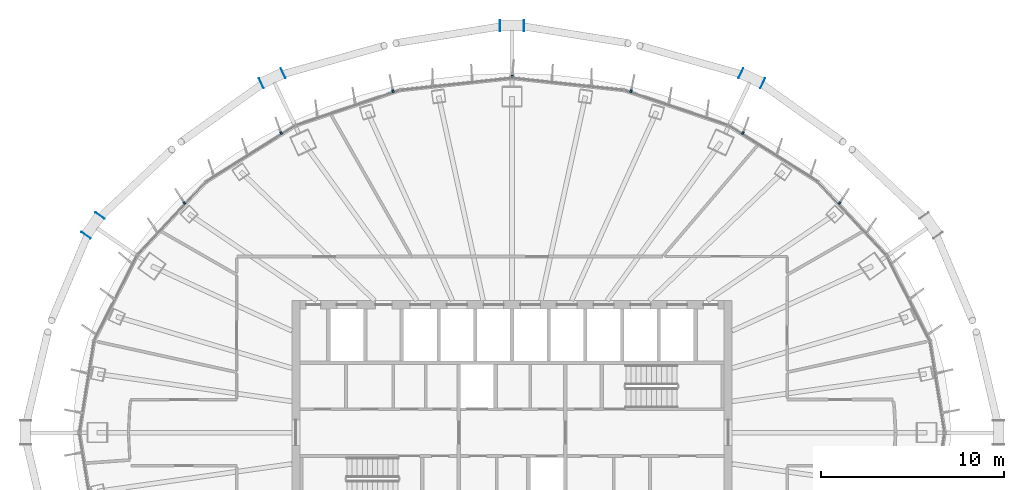
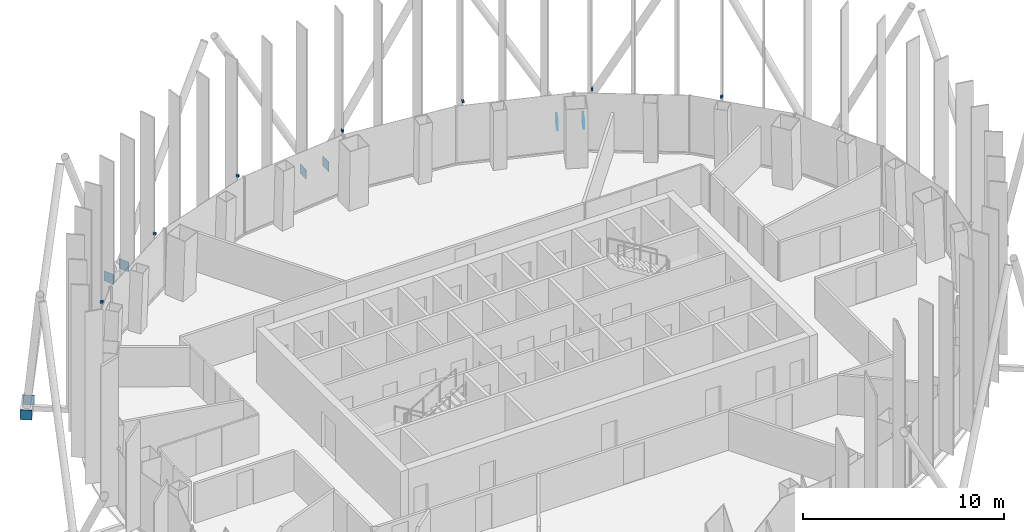
# One storey, part 14 of 19: 15 discrete accessories.
"""IFC4 building model written with IfcOpenShell, lengths in metres."""

import ifcopenshell
import ifcopenshell.guid

model = None  # the IFC model being written
_history = None  # IfcOwnerHistory: only IFC2X3 demands one
_inside = {}  # id of a spatial element -> (the spatial element, [elements in it])
_under = {}  # id of a project, library or spatial element -> (it, [spatial elements below it])
_declared = {}  # id of a project -> (the project, [libraries it declares])
_typed = {}  # id of a type object -> (the type object, [elements of that type])
_made_of = {}  # id of a material, layer set ... -> (it, [elements and type objects made of it])


def new_model(schema):
    """Start an empty IFC model of exactly this schema.

    Asked for "IFC4X3", IfcOpenShell would pick the latest addendum, in which some entities
    have other attributes; the version numbers below select the first issue.
    IFC2X3 requires an IfcOwnerHistory on every rooted entity: one is made here for all.
    """
    global model, _history
    if schema == "IFC4X3":
        model = ifcopenshell.file(schema_version=(4, 3, 0, 0))
    else:
        model = ifcopenshell.file(schema=schema)
    _inside.clear()
    _under.clear()
    _declared.clear()
    _typed.clear()
    _made_of.clear()
    _history = None
    if model.schema == "IFC2X3":
        org = make("IfcOrganization", Name="unknown")
        user = make(
            "IfcPersonAndOrganization",
            ThePerson=make("IfcPerson", FamilyName="unknown"),
            TheOrganization=org,
        )
        app = make(
            "IfcApplication",
            ApplicationDeveloper=org,
            Version="unknown",
            ApplicationFullName="unknown",
            ApplicationIdentifier="unknown",
        )
        _history = make(
            "IfcOwnerHistory",
            OwningUser=user,
            OwningApplication=app,
            ChangeAction="ADDED",
            CreationDate=0,
        )
    return model


def make(cls, **values):
    """One entity of the class cls with the attributes given. An attribute that is None is left unset."""
    return model.create_entity(
        cls, **{name: value for name, value in values.items() if value is not None}
    )


def rooted(cls, **values):
    """An entity with a GlobalId (a new one), such as an element, a storey or a relation."""
    return make(cls, GlobalId=ifcopenshell.guid.new(), OwnerHistory=_history, **values)


def si_unit(unit_type, name, prefix=None):
    """IfcSIUnit, for example si_unit("LENGTHUNIT", "METRE", prefix="MILLI")."""
    return make("IfcSIUnit", UnitType=unit_type, Prefix=prefix, Name=name)


def assignment(units):
    """IfcUnitAssignment: the units of a project."""
    return None if units is None else make("IfcUnitAssignment", Units=units)


def point(xyz):
    """IfcCartesianPoint."""
    return None if xyz is None else make("IfcCartesianPoint", Coordinates=xyz)


def direction(xyz):
    """IfcDirection."""
    return None if xyz is None else make("IfcDirection", DirectionRatios=xyz)


def frame(location, z_axis=None, x_axis=None):
    """IfcAxis2Placement3D, a coordinate frame: its origin and axes. An axis left out is left unset."""
    return make(
        "IfcAxis2Placement3D",
        Location=point(location),
        Axis=direction(z_axis),
        RefDirection=direction(x_axis),
    )


def frame_2d(location, x_axis=None):
    """IfcAxis2Placement2D, a coordinate frame in the plane: its origin and x axis."""
    return make(
        "IfcAxis2Placement2D", Location=point(location), RefDirection=direction(x_axis)
    )


def origin():
    """The frame at (0, 0, 0) with its axes left unset."""
    return frame((0.0, 0.0, 0.0))


def origin_2d():
    """The frame at (0, 0) in the plane with its x axis left unset."""
    return frame_2d((0.0, 0.0))


def place(relative_to, where):
    """IfcLocalPlacement: puts the frame where relative to a parent placement (None: the world)."""
    return make(
        "IfcLocalPlacement", PlacementRelTo=relative_to, RelativePlacement=where
    )


def context(
    kind, dimensions, precision=None, world=None, true_north=None, identifier=None
):
    """IfcGeometricRepresentationContext, for example the 3D "Model" context."""
    return make(
        "IfcGeometricRepresentationContext",
        ContextIdentifier=identifier,
        ContextType=kind,
        CoordinateSpaceDimension=dimensions,
        Precision=precision,
        WorldCoordinateSystem=world,
        TrueNorth=true_north,
    )


def subcontext(parent, identifier, kind, view, scale=None):
    """IfcGeometricRepresentationSubContext, for example "Body" below "Model"."""
    return make(
        "IfcGeometricRepresentationSubContext",
        ContextIdentifier=identifier,
        ContextType=kind,
        ParentContext=parent,
        TargetScale=scale,
        TargetView=view,
    )


def project(units=None, contexts=None):
    """IfcProject with its units and contexts."""
    return rooted(
        "IfcProject",
        Name="project",
        RepresentationContexts=contexts,
        UnitsInContext=assignment(units),
    )


def spatial(cls, under=None, at=None, **own):
    """A site, building, storey or space (cls), placed at a placement, below another one or the project."""
    s = rooted(cls, ObjectPlacement=at, **own)
    if under is not None:
        _under.setdefault(under.id(), (under, []))[1].append(s)
    return s


def profile(cls, at=None, kind="AREA", **sizes):
    """A parametric profile (cls). Its sizes go by their IFC names, for example OverallWidth=200.0."""
    return make(cls, ProfileType=kind, Position=at, **sizes)


def rectangle(**sizes):
    """IfcRectangleProfileDef."""
    return profile("IfcRectangleProfileDef", **sizes)


def extrude(swept, where, along, depth):
    """IfcExtrudedAreaSolid: the profile swept, set in the frame where, extruded along a direction by depth."""
    return make(
        "IfcExtrudedAreaSolid",
        SweptArea=swept,
        Position=where,
        ExtrudedDirection=direction(along),
        Depth=depth,
    )


def shape(context_of_items, identifier, shape_type, items):
    """IfcShapeRepresentation: the items that make up one representation, for example the "Body"."""
    return make(
        "IfcShapeRepresentation",
        ContextOfItems=context_of_items,
        RepresentationIdentifier=identifier,
        RepresentationType=shape_type,
        Items=items,
    )


def material(Name=None, Category=None):
    """IfcMaterial."""
    return make("IfcMaterial", Name=Name, Category=Category)


def layer(
    of_material, thickness, ventilated=None, Name=None, Category=None, Priority=None
):
    """IfcMaterialLayer: one layer of a wall or slab, of a material (None: an air gap)."""
    return make(
        "IfcMaterialLayer",
        Material=of_material,
        LayerThickness=thickness,
        IsVentilated=ventilated,
        Name=Name,
        Category=Category,
        Priority=Priority,
    )


def layer_set(layers, Name=None):
    """IfcMaterialLayerSet."""
    return make("IfcMaterialLayerSet", MaterialLayers=layers, LayerSetName=Name)


def made_of(thing, what):
    """Note that an element or type object is made of a material, layer set ...; save() writes the relation."""
    if what is not None:
        _made_of.setdefault(what.id(), (what, []))[1].append(thing)
    return thing


def type_object(cls, material=None, **own):
    """A type object (cls), such as IfcWallType, which elements share."""
    return made_of(rooted(cls, **own), material)


def element(
    cls,
    number,
    at=None,
    inside=None,
    cuts=None,
    type_object=None,
    material=None,
    context=None,
    identifier="Body",
    shape_type=None,
    held_by="IfcProductDefinitionShape",
    body=None,
    shapes=None,
    **own,
):
    """One element of the class cls, such as IfcWall. Its Tag is "e" and its number.

    at: its placement. inside: the storey or other place that contains it. cuts: it is an
    opening in that element (IfcRelVoidsElement). A single representation is given by context,
    identifier, shape_type and body (its items); several are given by shapes. held_by: the class
    of the entity that holds the representations. save() writes the other relations.
    """
    e = rooted(cls, Tag="e%d" % number, ObjectPlacement=at, **own)
    if body is not None:
        shapes = [shape(context, identifier, shape_type, body)]
    if shapes is not None:
        e.Representation = make(held_by, Representations=shapes)
    if inside is not None:
        _inside.setdefault(inside.id(), (inside, []))[1].append(e)
    if cuts is not None:
        rooted(
            "IfcRelVoidsElement", RelatingBuildingElement=cuts, RelatedOpeningElement=e
        )
    if type_object is not None:
        _typed.setdefault(type_object.id(), (type_object, []))[1].append(e)
    return made_of(e, material)


def aggregate(whole, parts):
    """IfcRelAggregates: a whole, such as a stair, and the parts it consists of."""
    return rooted("IfcRelAggregates", RelatingObject=whole, RelatedObjects=parts)


def save(model, path):
    """Write the relations noted so far, then the file.

    IfcRelAggregates (storeys below a building ...), IfcRelContainedInSpatialStructure (elements
    in a storey), IfcRelDefinesByType, IfcRelAssociatesMaterial and IfcRelDeclares: one each for
    every whole, place, type object, material and project.
    """
    for whole, parts in _under.values():
        aggregate(whole, parts)
    for where, things in _inside.values():
        rooted(
            "IfcRelContainedInSpatialStructure",
            RelatedElements=things,
            RelatingStructure=where,
        )
    for kind, things in _typed.values():
        rooted("IfcRelDefinesByType", RelatedObjects=things, RelatingType=kind)
    for what, things in _made_of.values():
        rooted("IfcRelAssociatesMaterial", RelatedObjects=things, RelatingMaterial=what)
    for by, libraries in _declared.values():
        rooted("IfcRelDeclares", RelatingContext=by, RelatedDefinitions=libraries)
    model.write(path)


model = new_model("IFC4")

# Units and contexts
model_context = context("Model", 3, precision=1e-05, world=origin(), true_north=direction((0.0, 1.0)))
body_context = subcontext(model_context, "Body", "Model", "MODEL_VIEW")
ifc_project = project(units=[si_unit("LENGTHUNIT", "METRE"), si_unit("AREAUNIT", "SQUARE_METRE"), si_unit("VOLUMEUNIT", "CUBIC_METRE"), si_unit("PLANEANGLEUNIT", "RADIAN"), si_unit("MASSUNIT", "GRAM", prefix="KILO")], contexts=[model_context])

# Site, building, storey
site_placement = place(None, origin())
site = spatial("IfcSite", under=ifc_project, at=site_placement, CompositionType="ELEMENT")
building_placement = place(site_placement, origin())
building = spatial("IfcBuilding", under=site, at=building_placement, Name="Siaravel Broadcast Tower", CompositionType="ELEMENT")
storey_placement = place(building_placement, frame((0.0, 0.0, 168.199951171875)))
storey = spatial("IfcBuildingStorey", under=building, at=storey_placement, Name="L40", CompositionType="ELEMENT", Elevation=168.199951171875)

# Discrete accessories
ifc_material_1 = material(Name="Stainless steel 316", Category="steel")
discrete_accessory_type_1 = type_object("IfcDiscreteAccessoryType", Name="Stainless steel fin bracket", PredefinedType="USERDEFINED", material=ifc_material_1)
for number, where, z_axis, x_axis, name in (
    (1, (17.847900390625, 12.51025390625, 3.68017578125), (0.0, 0.0, 1.0), (0.729804415, 0.683655992, 0.0), "Fin bracket L40-07"),
    (2, (12.583740234375, 16.31689453125, 3.68017578125), (0.0, 0.0, 1.0), (0.532149452, 0.846650436, 0.0), "Fin bracket L40-10"),
    (3, (6.48583984375, 18.60791015625, 3.68017578125), (0.0, 0.0, 1.0), (0.321300635, 0.946977245, 0.0), "Fin bracket L40-13"),
    (4, (0.007568359375, 19.39208984375, 3.68017578125), (0.0, 0.0, 1.0), (0.107216783, 0.994235667, 0.0), "Fin bracket L40-16"),
    (5, (-6.48583984375, 18.60791015625, 3.68017578125), (0.0, 0.0, 1.0), (-0.321300635, 0.946977245, 0.0), "Fin bracket L40-19"),
    (6, (-12.583740234375, 16.31689453125, 3.68017578125), (0.0, 0.0, 1.0), (-0.532149452, 0.846650436, 0.0), "Fin bracket L40-22"),
    (7, (-17.847900390625, 12.51025390625, 3.68017578125), (0.0, 0.0, 1.0), (-0.729804415, 0.683655992, 0.0), "Fin bracket L40-25"),
):
    element("IfcDiscreteAccessory", number, at=place(storey_placement, frame(where, z_axis=z_axis, x_axis=x_axis)), inside=storey, type_object=discrete_accessory_type_1, Name=name, ObjectType="BRACKET", PredefinedType="USERDEFINED", context=body_context, shape_type="SweptSolid", body=[
        extrude(rectangle(XDim=0.159912109375, YDim=0.10009765625, at=origin_2d()), origin(), (0.0, 0.0, 1.0), 0.139892578125),
    ])
ifc_material_2 = material(Name="Steel S355", Category="steel")
ifc_layer = layer(ifc_material_2, 0.02001953125)
ifc_layer_set = layer_set([ifc_layer], Name="Steel S355")
discrete_accessory_type_2 = type_object("IfcDiscreteAccessoryType", Name="Steel end plate 20 mm", PredefinedType="USERDEFINED", material=ifc_layer_set)
for number, where, z_axis, x_axis, name in (
    (8, (12.47412109375, 19.59423828125, -0.5), (0.0, 0.0, 1.0), (-0.904006456, 0.427518805, 0.0), "End plate R17 station 12A"),
    (9, (13.66162109375, 19.03271484375, -0.5), (0.0, 0.0, 1.0), (-0.904006456, 0.427518805, 0.0), "End plate R17 station 12B"),
    (10, (-0.65673828125, 22.187255859375, -0.5), (0.0, 0.0, 1.0), (-1.0, 0.0, 0.0), "End plate R17 station 18A"),
    (11, (0.65673828125, 22.187255859375, -0.5), (0.0, 0.0, 1.0), (-1.0, 0.0, 0.0), "End plate R17 station 18B"),
    (12, (-13.66162109375, 19.03271484375, -0.5), (0.0, 0.0, 1.0), (-0.904006456, -0.427518805, 0.0), "End plate R17 station 24A"),
    (13, (-12.47412109375, 19.59423828125, -0.5), (0.0, 0.0, 1.0), (-0.904006456, -0.427518805, 0.0), "End plate R17 station 24B"),
    (14, (-23.21240234375, 10.7548828125, -0.5), (0.0, 0.0, 1.0), (-0.576118513, -0.817366172, 0.0), "End plate R17 station 30A"),
    (15, (-22.455810546875, 11.828369140625, -0.5), (0.0, 0.0, 1.0), (-0.576118513, -0.817366172, 0.0), "End plate R17 station 30B"),
):
    element("IfcDiscreteAccessory", number, at=place(storey_placement, frame(where, z_axis=z_axis, x_axis=x_axis)), inside=storey, type_object=discrete_accessory_type_2, Name=name, ObjectType="END PLATE", PredefinedType="USERDEFINED", context=body_context, shape_type="SweptSolid", body=[
        extrude(rectangle(XDim=0.02001953125, YDim=0.60009765625, at=origin_2d()), origin(), (0.0, 0.0, 1.0), 0.60009765625),
    ])

save(model, "model.ifc")
